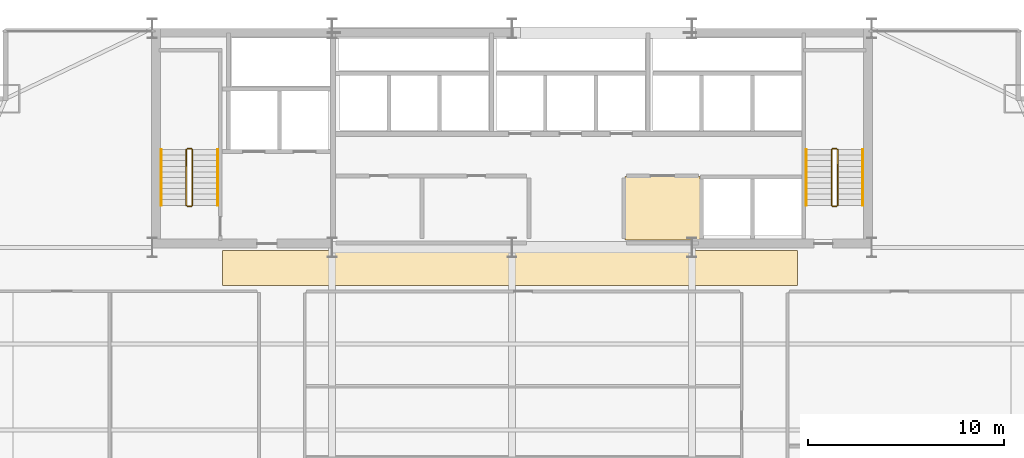
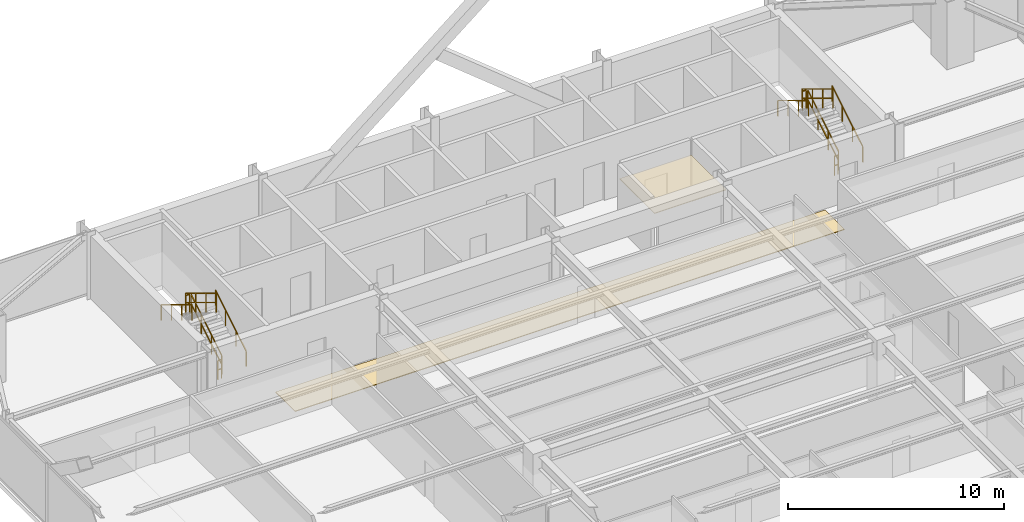
# One storey, part 37 of 37: 12 railings, 2 coverings.
"""IFC4 building model written with IfcOpenShell, lengths in metres."""

from ifc_helpers import new_model, si_unit, direction, frame, origin, origin_2d, place, context, subcontext, project, spatial, polyline, rectangle, outline, extrude, material, layer, layer_set, type_object, element, save


model = new_model("IFC4")

# Units and contexts
model_context = context("Model", 3, precision=1e-05, world=origin(), true_north=direction((0.0, 1.0)))
body_context = subcontext(model_context, "Body", "Model", "MODEL_VIEW")
ifc_project = project(units=[si_unit("LENGTHUNIT", "METRE"), si_unit("AREAUNIT", "SQUARE_METRE"), si_unit("VOLUMEUNIT", "CUBIC_METRE"), si_unit("PLANEANGLEUNIT", "RADIAN"), si_unit("MASSUNIT", "GRAM", prefix="KILO")], contexts=[model_context])

# Site, building, storey
site_placement = place(None, origin())
site = spatial("IfcSite", under=ifc_project, at=site_placement, CompositionType="ELEMENT")
building_placement = place(site_placement, origin())
building = spatial("IfcBuilding", under=site, at=building_placement, Name="Varnel Quay Broadcast Tower", CompositionType="ELEMENT")
storey_placement = place(building_placement, frame((0.0, 0.0, 103.0)))
storey = spatial("IfcBuildingStorey", under=building, at=storey_placement, Name="L24", CompositionType="ELEMENT", Elevation=103.0)

# Coverings
ifc_material_1 = material(Name="Micro-Perforated Acoustic Ceiling Tile")
ifc_layer_1 = layer(ifc_material_1, 0.0400390625, Name="Micro-Perforated Acoustic Ceiling Tile")
ifc_layer_set_1 = layer_set([ifc_layer_1], Name="Micro-Perforated Acoustic Ceiling Tile")
covering_type_1 = type_object("IfcCoveringType", Name="Cov_AcousticCeiling", PredefinedType="CEILING", material=ifc_layer_set_1)
covering_1_placement = place(storey_placement, frame((0.0, 0.0, 2.580078125)))
element("IfcCovering", 1, at=covering_1_placement, inside=storey, type_object=covering_type_1, Name="L24 Electrical Sub-Distribution Closet Acoustic Ceiling", PredefinedType="CEILING", context=body_context, shape_type="SweptSolid", body=[
    extrude(outline(polyline([(39.784912109375, 35.985107421875), (43.614990234375, 35.985107421875), (43.614990234375, 39.215087890625), (39.784912109375, 39.215087890625), (39.784912109375, 35.985107421875)])), origin(), (0.0, 0.0, 1.0), 0.0400390625),
])
ifc_material_2 = material(Name="Polished Terrazzo & Broadcast Raised Flooring")
ifc_layer_2 = layer(ifc_material_2, 0.0400390625, Name="Polished Terrazzo & Broadcast Raised Flooring")
ifc_layer_set_2 = layer_set([ifc_layer_2], Name="Polished Terrazzo & Broadcast Raised Flooring")
covering_type_2 = type_object("IfcCoveringType", Name="Cov_TerrazzoFloor", PredefinedType="FLOORING", material=ifc_layer_set_2)
covering_2_placement = place(storey_placement, origin())
element("IfcCovering", 2, at=covering_2_placement, inside=storey, type_object=covering_type_2, Name="L24 Corridor Terrazzo Flooring", PredefinedType="FLOORING", context=body_context, shape_type="SweptSolid", body=[
    extrude(outline(polyline([(19.199951171875, 33.64990234375), (48.60009765625, 33.64990234375), (48.60009765625, 35.449951171875), (19.199951171875, 35.449951171875), (19.199951171875, 33.64990234375)])), origin(), (0.0, 0.0, 1.0), 0.0400390625),
])

# Railings
ifc_material_3 = material(Name="Painted Steel Guard and Handrail CSA G40.21 350W", Category="steel")
railing_type_1 = type_object("IfcRailingType", Name="Rail_StairGuard1100", PredefinedType="GUARDRAIL", material=ifc_material_3)
railing_1_placement = place(storey_placement, frame((17.64990234375, 37.75, 0.172607421875)))
element("IfcRailing", 3, at=railing_1_placement, inside=storey, type_object=railing_type_1, Name="L24 ST-01 stair guard 1", PredefinedType="GUARDRAIL", context=body_context, shape_type="SweptSolid", body=[
    extrude(rectangle(XDim=0.048095703125, YDim=0.048095703125, at=origin_2d()), frame((0.0, 0.0, 1.076171875), z_axis=(0.0, 0.855202751398, 0.518293598264), x_axis=(-1.0, 0.0, 0.0)), (0.0, 0.0, 1.0), 3.332763671875),
    extrude(rectangle(XDim=0.048095703125, YDim=0.048095703125, at=origin_2d()), frame((0.0, 0.0, 0.550048828125), z_axis=(0.0, 0.855202751398, 0.518293598264), x_axis=(-1.0, 0.0, 0.0)), (0.0, 0.0, 1.0), 3.332763671875),
    extrude(rectangle(XDim=0.0419921875, YDim=0.0419921875, at=origin_2d()), origin(), (0.0, 0.0, 1.0), 1.052001953125),
    extrude(rectangle(XDim=0.0419921875, YDim=0.0419921875, at=origin_2d()), frame((0.0, 0.949951171875, 0.57568359375)), (0.0, 0.0, 1.0), 1.052001953125),
    extrude(rectangle(XDim=0.0419921875, YDim=0.0419921875, at=origin_2d()), frame((0.0, 1.900146484375, 1.151611328125)), (0.0, 0.0, 1.0), 1.052001953125),
    extrude(rectangle(XDim=0.0419921875, YDim=0.0419921875, at=origin_2d()), frame((0.0, 2.85009765625, 1.727294921875)), (0.0, 0.0, 1.0), 1.052001953125),
])
railing_2_placement = place(storey_placement, frame((17.60009765625, 40.64990234375, 1.89990234375)))
element("IfcRailing", 4, at=railing_2_placement, inside=storey, type_object=railing_type_1, Name="L24 ST-01 stair guard 2", PredefinedType="GUARDRAIL", context=body_context, shape_type="SweptSolid", body=[
    extrude(rectangle(XDim=0.048095703125, YDim=0.048095703125, at=origin_2d()), frame((0.0, 0.0, 1.076171875), z_axis=(-1.0, 0.0, 0.0), x_axis=(0.0, -1.0, 0.0)), (0.0, 0.0, 1.0), 0.2001953125),
    extrude(rectangle(XDim=0.048095703125, YDim=0.048095703125, at=origin_2d()), frame((0.0, 0.0, 0.550048828125), z_axis=(-1.0, 0.0, 0.0), x_axis=(0.0, -1.0, 0.0)), (0.0, 0.0, 1.0), 0.2001953125),
    extrude(rectangle(XDim=0.0419921875, YDim=0.0419921875, at=origin_2d()), origin(), (0.0, 0.0, 1.0), 1.052001953125),
    extrude(rectangle(XDim=0.0419921875, YDim=0.0419921875, at=origin_2d()), frame((-0.2001953125, 0.0, 0.0)), (0.0, 0.0, 1.0), 1.052001953125),
])
railing_3_placement = place(storey_placement, frame((17.35009765625, 40.60009765625, 2.07275390625)))
element("IfcRailing", 5, at=railing_3_placement, inside=storey, type_object=railing_type_1, Name="L24 ST-01 stair guard 3", PredefinedType="GUARDRAIL", context=body_context, shape_type="SweptSolid", body=[
    extrude(rectangle(XDim=0.048095703125, YDim=0.048095703125, at=origin_2d()), frame((0.0, 0.0, 1.076171875), z_axis=(0.0, -0.855202751398, 0.518293598264), x_axis=(1.0, 0.0, 0.0)), (0.0, 0.0, 1.0), 3.332763671875),
    extrude(rectangle(XDim=0.048095703125, YDim=0.048095703125, at=origin_2d()), frame((0.0, 0.0, 0.550048828125), z_axis=(0.0, -0.855202751398, 0.518293598264), x_axis=(1.0, 0.0, 0.0)), (0.0, 0.0, 1.0), 3.332763671875),
    extrude(rectangle(XDim=0.0419921875, YDim=0.0419921875, at=origin_2d()), origin(), (0.0, 0.0, 1.0), 1.052001953125),
    extrude(rectangle(XDim=0.0419921875, YDim=0.0419921875, at=origin_2d()), frame((0.0, -0.949951171875, 0.57568359375)), (0.0, 0.0, 1.0), 1.052001953125),
    extrude(rectangle(XDim=0.0419921875, YDim=0.0419921875, at=origin_2d()), frame((0.0, -1.900146484375, 1.151611328125)), (0.0, 0.0, 1.0), 1.052001953125),
    extrude(rectangle(XDim=0.0419921875, YDim=0.0419921875, at=origin_2d()), frame((0.0, -2.85009765625, 1.727294921875)), (0.0, 0.0, 1.0), 1.052001953125),
])
railing_4_placement = place(storey_placement, frame((17.60009765625, 37.699951171875, 0.0)))
element("IfcRailing", 6, at=railing_4_placement, inside=storey, type_object=railing_type_1, Name="L24 ST-01 stair guard 4", PredefinedType="GUARDRAIL", context=body_context, shape_type="SweptSolid", body=[
    extrude(rectangle(XDim=0.048095703125, YDim=0.048095703125, at=origin_2d()), frame((0.0, 0.0, 1.076171875), z_axis=(-1.0, 0.0, 0.0), x_axis=(0.0, -1.0, 0.0)), (0.0, 0.0, 1.0), 0.2001953125),
    extrude(rectangle(XDim=0.048095703125, YDim=0.048095703125, at=origin_2d()), frame((0.0, 0.0, 0.550048828125), z_axis=(-1.0, 0.0, 0.0), x_axis=(0.0, -1.0, 0.0)), (0.0, 0.0, 1.0), 0.2001953125),
    extrude(rectangle(XDim=0.0419921875, YDim=0.0419921875, at=origin_2d()), origin(), (0.0, 0.0, 1.0), 1.052001953125),
    extrude(rectangle(XDim=0.0419921875, YDim=0.0419921875, at=origin_2d()), frame((-0.2001953125, 0.0, 0.0)), (0.0, 0.0, 1.0), 1.052001953125),
])
railing_5_placement = place(storey_placement, frame((50.64990234375, 37.75, 0.172607421875)))
element("IfcRailing", 7, at=railing_5_placement, inside=storey, type_object=railing_type_1, Name="L24 ST-02 stair guard 1", PredefinedType="GUARDRAIL", context=body_context, shape_type="SweptSolid", body=[
    extrude(rectangle(XDim=0.048095703125, YDim=0.048095703125, at=origin_2d()), frame((0.0, 0.0, 1.076171875), z_axis=(0.0, 0.855202751398, 0.518293598264), x_axis=(-1.0, 0.0, 0.0)), (0.0, 0.0, 1.0), 3.332763671875),
    extrude(rectangle(XDim=0.048095703125, YDim=0.048095703125, at=origin_2d()), frame((0.0, 0.0, 0.550048828125), z_axis=(0.0, 0.855202751398, 0.518293598264), x_axis=(-1.0, 0.0, 0.0)), (0.0, 0.0, 1.0), 3.332763671875),
    extrude(rectangle(XDim=0.0419921875, YDim=0.0419921875, at=origin_2d()), origin(), (0.0, 0.0, 1.0), 1.052001953125),
    extrude(rectangle(XDim=0.0419921875, YDim=0.0419921875, at=origin_2d()), frame((0.0, 0.949951171875, 0.57568359375)), (0.0, 0.0, 1.0), 1.052001953125),
    extrude(rectangle(XDim=0.0419921875, YDim=0.0419921875, at=origin_2d()), frame((0.0, 1.900146484375, 1.151611328125)), (0.0, 0.0, 1.0), 1.052001953125),
    extrude(rectangle(XDim=0.0419921875, YDim=0.0419921875, at=origin_2d()), frame((0.0, 2.85009765625, 1.727294921875)), (0.0, 0.0, 1.0), 1.052001953125),
])
railing_6_placement = place(storey_placement, frame((50.60009765625, 40.64990234375, 1.89990234375)))
element("IfcRailing", 8, at=railing_6_placement, inside=storey, type_object=railing_type_1, Name="L24 ST-02 stair guard 2", PredefinedType="GUARDRAIL", context=body_context, shape_type="SweptSolid", body=[
    extrude(rectangle(XDim=0.048095703125, YDim=0.048095703125, at=origin_2d()), frame((0.0, 0.0, 1.076171875), z_axis=(-1.0, 0.0, 0.0), x_axis=(0.0, -1.0, 0.0)), (0.0, 0.0, 1.0), 0.2001953125),
    extrude(rectangle(XDim=0.048095703125, YDim=0.048095703125, at=origin_2d()), frame((0.0, 0.0, 0.550048828125), z_axis=(-1.0, 0.0, 0.0), x_axis=(0.0, -1.0, 0.0)), (0.0, 0.0, 1.0), 0.2001953125),
    extrude(rectangle(XDim=0.0419921875, YDim=0.0419921875, at=origin_2d()), origin(), (0.0, 0.0, 1.0), 1.052001953125),
    extrude(rectangle(XDim=0.0419921875, YDim=0.0419921875, at=origin_2d()), frame((-0.2001953125, 0.0, 0.0)), (0.0, 0.0, 1.0), 1.052001953125),
])
railing_7_placement = place(storey_placement, frame((50.35009765625, 40.60009765625, 2.07275390625)))
element("IfcRailing", 9, at=railing_7_placement, inside=storey, type_object=railing_type_1, Name="L24 ST-02 stair guard 3", PredefinedType="GUARDRAIL", context=body_context, shape_type="SweptSolid", body=[
    extrude(rectangle(XDim=0.048095703125, YDim=0.048095703125, at=origin_2d()), frame((0.0, 0.0, 1.076171875), z_axis=(0.0, -0.855202751398, 0.518293598264), x_axis=(1.0, 0.0, 0.0)), (0.0, 0.0, 1.0), 3.332763671875),
    extrude(rectangle(XDim=0.048095703125, YDim=0.048095703125, at=origin_2d()), frame((0.0, 0.0, 0.550048828125), z_axis=(0.0, -0.855202751398, 0.518293598264), x_axis=(1.0, 0.0, 0.0)), (0.0, 0.0, 1.0), 3.332763671875),
    extrude(rectangle(XDim=0.0419921875, YDim=0.0419921875, at=origin_2d()), origin(), (0.0, 0.0, 1.0), 1.052001953125),
    extrude(rectangle(XDim=0.0419921875, YDim=0.0419921875, at=origin_2d()), frame((0.0, -0.949951171875, 0.57568359375)), (0.0, 0.0, 1.0), 1.052001953125),
    extrude(rectangle(XDim=0.0419921875, YDim=0.0419921875, at=origin_2d()), frame((0.0, -1.900146484375, 1.151611328125)), (0.0, 0.0, 1.0), 1.052001953125),
    extrude(rectangle(XDim=0.0419921875, YDim=0.0419921875, at=origin_2d()), frame((0.0, -2.85009765625, 1.727294921875)), (0.0, 0.0, 1.0), 1.052001953125),
])
railing_8_placement = place(storey_placement, frame((50.60009765625, 37.699951171875, 0.0)))
element("IfcRailing", 10, at=railing_8_placement, inside=storey, type_object=railing_type_1, Name="L24 ST-02 stair guard 4", PredefinedType="GUARDRAIL", context=body_context, shape_type="SweptSolid", body=[
    extrude(rectangle(XDim=0.048095703125, YDim=0.048095703125, at=origin_2d()), frame((0.0, 0.0, 1.076171875), z_axis=(-1.0, 0.0, 0.0), x_axis=(0.0, -1.0, 0.0)), (0.0, 0.0, 1.0), 0.2001953125),
    extrude(rectangle(XDim=0.048095703125, YDim=0.048095703125, at=origin_2d()), frame((0.0, 0.0, 0.550048828125), z_axis=(-1.0, 0.0, 0.0), x_axis=(0.0, -1.0, 0.0)), (0.0, 0.0, 1.0), 0.2001953125),
    extrude(rectangle(XDim=0.0419921875, YDim=0.0419921875, at=origin_2d()), origin(), (0.0, 0.0, 1.0), 1.052001953125),
    extrude(rectangle(XDim=0.0419921875, YDim=0.0419921875, at=origin_2d()), frame((-0.2001953125, 0.0, 0.0)), (0.0, 0.0, 1.0), 1.052001953125),
])
railing_type_2 = type_object("IfcRailingType", Name="Rail_StairHandrail900", PredefinedType="HANDRAIL", material=ifc_material_3)
railing_9_placement = place(storey_placement, frame((18.949951171875, 37.75, 0.172607421875)))
element("IfcRailing", 11, at=railing_9_placement, inside=storey, type_object=railing_type_2, Name="L24 ST-01 stair handrail 1", PredefinedType="HANDRAIL", context=body_context, shape_type="SweptSolid", body=[
    extrude(rectangle(XDim=0.048095703125, YDim=0.048095703125, at=origin_2d()), frame((0.0, 0.0, 0.8759765625), z_axis=(0.0, 0.855202751398, 0.518293598264), x_axis=(-1.0, 0.0, 0.0)), (0.0, 0.0, 1.0), 3.332763671875),
    extrude(rectangle(XDim=0.0419921875, YDim=0.0419921875, at=origin_2d()), origin(), (0.0, 0.0, 1.0), 0.851806640625),
    extrude(rectangle(XDim=0.0419921875, YDim=0.0419921875, at=origin_2d()), frame((0.0, 0.949951171875, 0.57568359375)), (0.0, 0.0, 1.0), 0.851806640625),
    extrude(rectangle(XDim=0.0419921875, YDim=0.0419921875, at=origin_2d()), frame((0.0, 1.900146484375, 1.151611328125)), (0.0, 0.0, 1.0), 0.851806640625),
    extrude(rectangle(XDim=0.0419921875, YDim=0.0419921875, at=origin_2d()), frame((0.0, 2.85009765625, 1.727294921875)), (0.0, 0.0, 1.0), 0.851806640625),
])
railing_10_placement = place(storey_placement, frame((16.050048828125, 40.60009765625, 2.07275390625)))
element("IfcRailing", 12, at=railing_10_placement, inside=storey, type_object=railing_type_2, Name="L24 ST-01 stair handrail 2", PredefinedType="HANDRAIL", context=body_context, shape_type="SweptSolid", body=[
    extrude(rectangle(XDim=0.048095703125, YDim=0.048095703125, at=origin_2d()), frame((0.0, 0.0, 0.8759765625), z_axis=(0.0, -0.855202751398, 0.518293598264), x_axis=(1.0, 0.0, 0.0)), (0.0, 0.0, 1.0), 3.332763671875),
    extrude(rectangle(XDim=0.0419921875, YDim=0.0419921875, at=origin_2d()), origin(), (0.0, 0.0, 1.0), 0.851806640625),
    extrude(rectangle(XDim=0.0419921875, YDim=0.0419921875, at=origin_2d()), frame((0.0, -0.949951171875, 0.57568359375)), (0.0, 0.0, 1.0), 0.851806640625),
    extrude(rectangle(XDim=0.0419921875, YDim=0.0419921875, at=origin_2d()), frame((0.0, -1.900146484375, 1.151611328125)), (0.0, 0.0, 1.0), 0.851806640625),
    extrude(rectangle(XDim=0.0419921875, YDim=0.0419921875, at=origin_2d()), frame((0.0, -2.85009765625, 1.727294921875)), (0.0, 0.0, 1.0), 0.851806640625),
])
railing_11_placement = place(storey_placement, frame((51.949951171875, 37.75, 0.172607421875)))
element("IfcRailing", 13, at=railing_11_placement, inside=storey, type_object=railing_type_2, Name="L24 ST-02 stair handrail 1", PredefinedType="HANDRAIL", context=body_context, shape_type="SweptSolid", body=[
    extrude(rectangle(XDim=0.048095703125, YDim=0.048095703125, at=origin_2d()), frame((0.0, 0.0, 0.8759765625), z_axis=(0.0, 0.855202751398, 0.518293598264), x_axis=(-1.0, 0.0, 0.0)), (0.0, 0.0, 1.0), 3.332763671875),
    extrude(rectangle(XDim=0.0419921875, YDim=0.0419921875, at=origin_2d()), origin(), (0.0, 0.0, 1.0), 0.851806640625),
    extrude(rectangle(XDim=0.0419921875, YDim=0.0419921875, at=origin_2d()), frame((0.0, 0.949951171875, 0.57568359375)), (0.0, 0.0, 1.0), 0.851806640625),
    extrude(rectangle(XDim=0.0419921875, YDim=0.0419921875, at=origin_2d()), frame((0.0, 1.900146484375, 1.151611328125)), (0.0, 0.0, 1.0), 0.851806640625),
    extrude(rectangle(XDim=0.0419921875, YDim=0.0419921875, at=origin_2d()), frame((0.0, 2.85009765625, 1.727294921875)), (0.0, 0.0, 1.0), 0.851806640625),
])
railing_12_placement = place(storey_placement, frame((49.050048828125, 40.60009765625, 2.07275390625)))
element("IfcRailing", 14, at=railing_12_placement, inside=storey, type_object=railing_type_2, Name="L24 ST-02 stair handrail 2", PredefinedType="HANDRAIL", context=body_context, shape_type="SweptSolid", body=[
    extrude(rectangle(XDim=0.048095703125, YDim=0.048095703125, at=origin_2d()), frame((0.0, 0.0, 0.8759765625), z_axis=(0.0, -0.855202751398, 0.518293598264), x_axis=(1.0, 0.0, 0.0)), (0.0, 0.0, 1.0), 3.332763671875),
    extrude(rectangle(XDim=0.0419921875, YDim=0.0419921875, at=origin_2d()), origin(), (0.0, 0.0, 1.0), 0.851806640625),
    extrude(rectangle(XDim=0.0419921875, YDim=0.0419921875, at=origin_2d()), frame((0.0, -0.949951171875, 0.57568359375)), (0.0, 0.0, 1.0), 0.851806640625),
    extrude(rectangle(XDim=0.0419921875, YDim=0.0419921875, at=origin_2d()), frame((0.0, -1.900146484375, 1.151611328125)), (0.0, 0.0, 1.0), 0.851806640625),
    extrude(rectangle(XDim=0.0419921875, YDim=0.0419921875, at=origin_2d()), frame((0.0, -2.85009765625, 1.727294921875)), (0.0, 0.0, 1.0), 0.851806640625),
])

save(model, "model.ifc")
